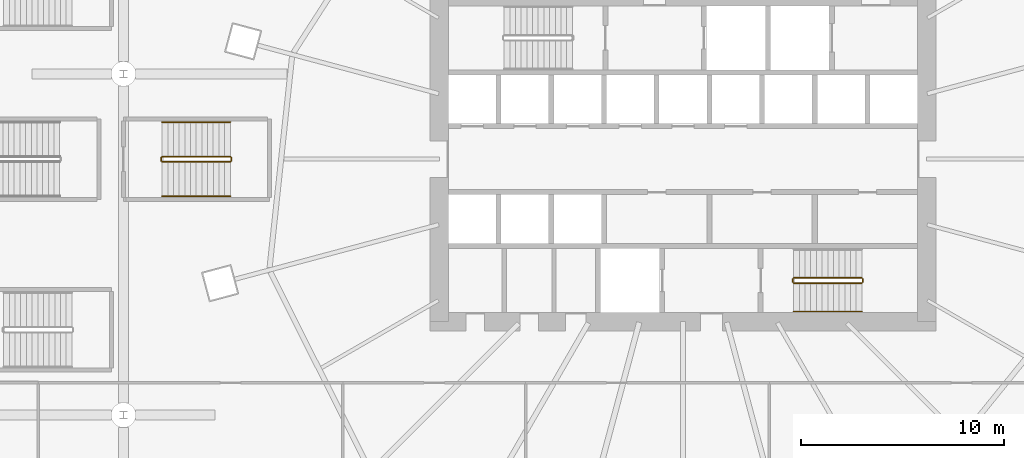
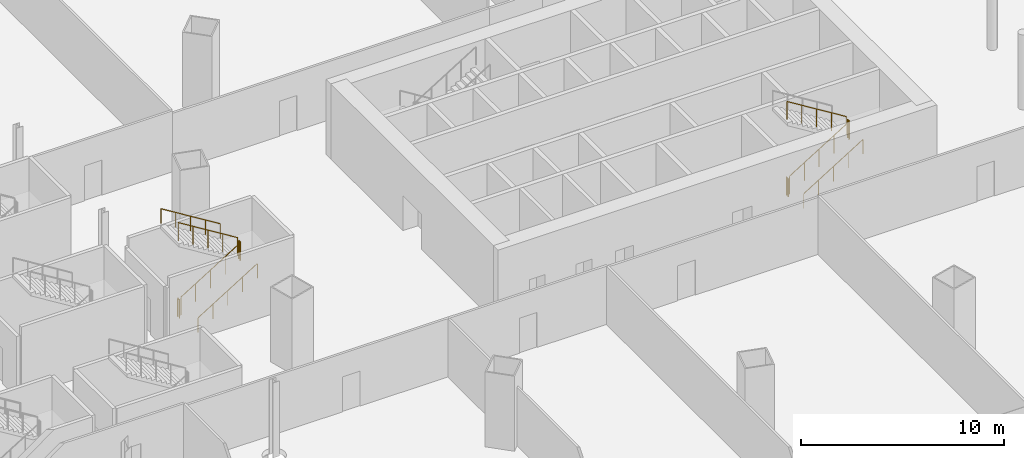
# One storey, part 53 of 56: 11 railings.
"""IFC4 building model written with IfcOpenShell, lengths in metres."""

from ifc_helpers import new_model, si_unit, direction, frame, origin, origin_2d, place, context, subcontext, project, spatial, circle, extrude, material, type_object, element, save


model = new_model("IFC4")

# Units and contexts
model_context = context("Model", 3, precision=1e-05, world=origin(), true_north=direction((0.0, 1.0)))
body_context = subcontext(model_context, "Body", "Model", "MODEL_VIEW")
ifc_project = project(units=[si_unit("LENGTHUNIT", "METRE"), si_unit("AREAUNIT", "SQUARE_METRE"), si_unit("VOLUMEUNIT", "CUBIC_METRE"), si_unit("PLANEANGLEUNIT", "RADIAN"), si_unit("MASSUNIT", "GRAM", prefix="KILO")], contexts=[model_context])

# Site, building, storey
site_placement = place(None, origin())
site = spatial("IfcSite", under=ifc_project, at=site_placement, CompositionType="ELEMENT")
building_placement = place(site_placement, origin())
building = spatial("IfcBuilding", under=site, at=building_placement, Name="Rimbun Link Towers", CompositionType="ELEMENT")
storey_placement = place(building_placement, frame((0.0, 0.0, 16.5)))
storey = spatial("IfcBuildingStorey", under=building, at=storey_placement, Name="L03", CompositionType="ELEMENT", Elevation=16.5)

# Railings
ifc_material_1 = material(Name="Stainless steel grade 316", Category="steel")
railing_type_1 = type_object("IfcRailingType", Name="Stair guard", PredefinedType="GUARDRAIL", material=ifc_material_1)
railing_1_placement = place(storey_placement, frame((37.199951171875, -6.10009765625, 0.173095703125)))
element("IfcRailing", 1, at=railing_1_placement, inside=storey, type_object=railing_type_1, Name="L03 ST4 stair guard 1", PredefinedType="GUARDRAIL", context=body_context, shape_type="SweptSolid", body=[
    extrude(circle(Radius=0.02392578125, at=origin_2d()), frame((0.0, 0.0, 1.076171875), z_axis=(0.850623216509, 0.0, 0.525775754039), x_axis=(0.0, 1.0, 0.0)), (0.0, 0.0, 1.0), 3.9501953125),
    extrude(circle(Radius=0.02099609375, at=origin_2d()), origin(), (0.0, 0.0, 1.0), 1.052001953125),
    extrude(circle(Radius=0.02099609375, at=origin_2d()), frame((0.840087890625, 0.0, 0.519287109375)), (0.0, 0.0, 1.0), 1.052001953125),
    extrude(circle(Radius=0.02099609375, at=origin_2d()), frame((1.68017578125, 0.0, 1.03857421875)), (0.0, 0.0, 1.0), 1.052001953125),
    extrude(circle(Radius=0.02099609375, at=origin_2d()), frame((2.52001953125, 0.0, 1.5576171875)), (0.0, 0.0, 1.0), 1.052001953125),
    extrude(circle(Radius=0.02099609375, at=origin_2d()), frame((3.360107421875, 0.0, 2.076904296875)), (0.0, 0.0, 1.0), 1.052001953125),
])
railing_2_placement = place(storey_placement, frame((40.610107421875, -6.050048828125, 2.25)))
element("IfcRailing", 2, at=railing_2_placement, inside=storey, type_object=railing_type_1, Name="L03 ST4 stair guard 2", PredefinedType="GUARDRAIL", context=body_context, shape_type="SweptSolid", body=[
    extrude(circle(Radius=0.02392578125, at=origin_2d()), frame((0.0, 0.0, 1.076171875), z_axis=(0.0, 1.0, 0.0), x_axis=(-1.0, 0.0, 0.0)), (0.0, 0.0, 1.0), 0.150146484375),
    extrude(circle(Radius=0.02099609375, at=origin_2d()), origin(), (0.0, 0.0, 1.0), 1.052001953125),
    extrude(circle(Radius=0.02099609375, at=origin_2d()), frame((0.0, 0.150146484375, 0.0)), (0.0, 0.0, 1.0), 1.052001953125),
])
railing_3_placement = place(storey_placement, frame((40.56005859375, -5.85009765625, 2.423095703125)))
element("IfcRailing", 3, at=railing_3_placement, inside=storey, type_object=railing_type_1, Name="L03 ST4 stair guard 3", PredefinedType="GUARDRAIL", context=body_context, shape_type="SweptSolid", body=[
    extrude(circle(Radius=0.02392578125, at=origin_2d()), frame((0.0, 0.0, 1.076171875), z_axis=(-0.850623216509, 0.0, 0.525775754039), x_axis=(0.0, -1.0, 0.0)), (0.0, 0.0, 1.0), 3.9501953125),
    extrude(circle(Radius=0.02099609375, at=origin_2d()), origin(), (0.0, 0.0, 1.0), 1.052001953125),
    extrude(circle(Radius=0.02099609375, at=origin_2d()), frame((-0.840087890625, 0.0, 0.519287109375)), (0.0, 0.0, 1.0), 1.052001953125),
    extrude(circle(Radius=0.02099609375, at=origin_2d()), frame((-1.68017578125, 0.0, 1.03857421875)), (0.0, 0.0, 1.0), 1.052001953125),
    extrude(circle(Radius=0.02099609375, at=origin_2d()), frame((-2.52001953125, 0.0, 1.5576171875)), (0.0, 0.0, 1.0), 1.052001953125),
    extrude(circle(Radius=0.02099609375, at=origin_2d()), frame((-3.360107421875, 0.0, 2.076904296875)), (0.0, 0.0, 1.0), 1.052001953125),
])
railing_4_placement = place(storey_placement, frame((37.14990234375, -6.050048828125, 0.0)))
element("IfcRailing", 4, at=railing_4_placement, inside=storey, type_object=railing_type_1, Name="L03 ST4 stair guard 4", PredefinedType="GUARDRAIL", context=body_context, shape_type="SweptSolid", body=[
    extrude(circle(Radius=0.02392578125, at=origin_2d()), frame((0.0, 0.0, 1.076171875), z_axis=(0.0, 1.0, 0.0), x_axis=(-1.0, 0.0, 0.0)), (0.0, 0.0, 1.0), 0.150146484375),
    extrude(circle(Radius=0.02099609375, at=origin_2d()), origin(), (0.0, 0.0, 1.0), 1.052001953125),
    extrude(circle(Radius=0.02099609375, at=origin_2d()), frame((0.0, 0.150146484375, 0.0)), (0.0, 0.0, 1.0), 1.052001953125),
])
railing_5_placement = place(storey_placement, frame((6.10009765625, -0.125, 0.173095703125)))
element("IfcRailing", 5, at=railing_5_placement, inside=storey, type_object=railing_type_1, Name="L03 PS5 stair guard 1", PredefinedType="GUARDRAIL", context=body_context, shape_type="SweptSolid", body=[
    extrude(circle(Radius=0.02392578125, at=origin_2d()), frame((0.0, 0.0, 1.076171875), z_axis=(0.850606129759, 0.0, 0.525803396734), x_axis=(0.0, 1.0, 0.0)), (0.0, 0.0, 1.0), 3.949951171875),
    extrude(circle(Radius=0.02099609375, at=origin_2d()), origin(), (0.0, 0.0, 1.0), 1.052001953125),
    extrude(circle(Radius=0.02099609375, at=origin_2d()), frame((0.83984375, 0.0, 0.519287109375)), (0.0, 0.0, 1.0), 1.052001953125),
    extrude(circle(Radius=0.02099609375, at=origin_2d()), frame((1.679931640625, 0.0, 1.03857421875)), (0.0, 0.0, 1.0), 1.052001953125),
    extrude(circle(Radius=0.02099609375, at=origin_2d()), frame((2.52001953125, 0.0, 1.5576171875)), (0.0, 0.0, 1.0), 1.052001953125),
    extrude(circle(Radius=0.02099609375, at=origin_2d()), frame((3.35986328125, 0.0, 2.076904296875)), (0.0, 0.0, 1.0), 1.052001953125),
])
railing_6_placement = place(storey_placement, frame((9.510009765625, -0.074951171875, 2.25)))
element("IfcRailing", 6, at=railing_6_placement, inside=storey, type_object=railing_type_1, Name="L03 PS5 stair guard 2", PredefinedType="GUARDRAIL", context=body_context, shape_type="SweptSolid", body=[
    extrude(circle(Radius=0.02392578125, at=origin_2d()), frame((0.0, 0.0, 1.076171875), z_axis=(0.0, 1.0, 0.0), x_axis=(-1.0, 0.0, 0.0)), (0.0, 0.0, 1.0), 0.14990234375),
    extrude(circle(Radius=0.02099609375, at=origin_2d()), origin(), (0.0, 0.0, 1.0), 1.052001953125),
    extrude(circle(Radius=0.02099609375, at=origin_2d()), frame((0.0, 0.14990234375, 0.0)), (0.0, 0.0, 1.0), 1.052001953125),
])
railing_7_placement = place(storey_placement, frame((9.4599609375, 0.125, 2.423095703125)))
element("IfcRailing", 7, at=railing_7_placement, inside=storey, type_object=railing_type_1, Name="L03 PS5 stair guard 3", PredefinedType="GUARDRAIL", context=body_context, shape_type="SweptSolid", body=[
    extrude(circle(Radius=0.02392578125, at=origin_2d()), frame((0.0, 0.0, 1.076171875), z_axis=(-0.850606129759, 0.0, 0.525803396734), x_axis=(0.0, -1.0, 0.0)), (0.0, 0.0, 1.0), 3.949951171875),
    extrude(circle(Radius=0.02099609375, at=origin_2d()), origin(), (0.0, 0.0, 1.0), 1.052001953125),
    extrude(circle(Radius=0.02099609375, at=origin_2d()), frame((-0.83984375, 0.0, 0.519287109375)), (0.0, 0.0, 1.0), 1.052001953125),
    extrude(circle(Radius=0.02099609375, at=origin_2d()), frame((-1.679931640625, 0.0, 1.03857421875)), (0.0, 0.0, 1.0), 1.052001953125),
    extrude(circle(Radius=0.02099609375, at=origin_2d()), frame((-2.52001953125, 0.0, 1.5576171875)), (0.0, 0.0, 1.0), 1.052001953125),
    extrude(circle(Radius=0.02099609375, at=origin_2d()), frame((-3.35986328125, 0.0, 2.076904296875)), (0.0, 0.0, 1.0), 1.052001953125),
])
railing_8_placement = place(storey_placement, frame((6.050048828125, -0.074951171875, 0.0)))
element("IfcRailing", 8, at=railing_8_placement, inside=storey, type_object=railing_type_1, Name="L03 PS5 stair guard 4", PredefinedType="GUARDRAIL", context=body_context, shape_type="SweptSolid", body=[
    extrude(circle(Radius=0.02392578125, at=origin_2d()), frame((0.0, 0.0, 1.076171875), z_axis=(0.0, 1.0, 0.0), x_axis=(-1.0, 0.0, 0.0)), (0.0, 0.0, 1.0), 0.14990234375),
    extrude(circle(Radius=0.02099609375, at=origin_2d()), origin(), (0.0, 0.0, 1.0), 1.052001953125),
    extrude(circle(Radius=0.02099609375, at=origin_2d()), frame((0.0, 0.14990234375, 0.0)), (0.0, 0.0, 1.0), 1.052001953125),
])
ifc_material_2 = material(Name="Stainless steel grade 316", Category="steel")
railing_type_2 = type_object("IfcRailingType", Name="Stair handrail", PredefinedType="HANDRAIL", material=ifc_material_2)
railing_9_placement = place(storey_placement, frame((37.199951171875, -7.5, 0.173095703125)))
element("IfcRailing", 9, at=railing_9_placement, inside=storey, type_object=railing_type_2, Name="L03 ST4 stair handrail 1", PredefinedType="HANDRAIL", context=body_context, shape_type="SweptSolid", body=[
    extrude(circle(Radius=0.02392578125, at=origin_2d()), frame((0.0, 0.0, 0.8759765625), z_axis=(0.850623216509, 0.0, 0.525775754039), x_axis=(0.0, 1.0, 0.0)), (0.0, 0.0, 1.0), 3.9501953125),
    extrude(circle(Radius=0.02099609375, at=origin_2d()), origin(), (0.0, 0.0, 1.0), 0.851806640625),
    extrude(circle(Radius=0.02099609375, at=origin_2d()), frame((0.840087890625, 0.0, 0.519287109375)), (0.0, 0.0, 1.0), 0.851806640625),
    extrude(circle(Radius=0.02099609375, at=origin_2d()), frame((1.68017578125, 0.0, 1.03857421875)), (0.0, 0.0, 1.0), 0.851806640625),
    extrude(circle(Radius=0.02099609375, at=origin_2d()), frame((2.52001953125, 0.0, 1.5576171875)), (0.0, 0.0, 1.0), 0.851806640625),
    extrude(circle(Radius=0.02099609375, at=origin_2d()), frame((3.360107421875, 0.0, 2.076904296875)), (0.0, 0.0, 1.0), 0.851806640625),
])
railing_10_placement = place(storey_placement, frame((6.10009765625, -1.824951171875, 0.173095703125)))
element("IfcRailing", 10, at=railing_10_placement, inside=storey, type_object=railing_type_2, Name="L03 PS5 stair handrail 1", PredefinedType="HANDRAIL", context=body_context, shape_type="SweptSolid", body=[
    extrude(circle(Radius=0.02392578125, at=origin_2d()), frame((0.0, 0.0, 0.8759765625), z_axis=(0.850606129759, 0.0, 0.525803396734), x_axis=(0.0, 1.0, 0.0)), (0.0, 0.0, 1.0), 3.949951171875),
    extrude(circle(Radius=0.02099609375, at=origin_2d()), origin(), (0.0, 0.0, 1.0), 0.851806640625),
    extrude(circle(Radius=0.02099609375, at=origin_2d()), frame((0.83984375, 0.0, 0.519287109375)), (0.0, 0.0, 1.0), 0.851806640625),
    extrude(circle(Radius=0.02099609375, at=origin_2d()), frame((1.679931640625, 0.0, 1.03857421875)), (0.0, 0.0, 1.0), 0.851806640625),
    extrude(circle(Radius=0.02099609375, at=origin_2d()), frame((2.52001953125, 0.0, 1.5576171875)), (0.0, 0.0, 1.0), 0.851806640625),
    extrude(circle(Radius=0.02099609375, at=origin_2d()), frame((3.35986328125, 0.0, 2.076904296875)), (0.0, 0.0, 1.0), 0.851806640625),
])
railing_11_placement = place(storey_placement, frame((9.4599609375, 1.824951171875, 2.423095703125)))
element("IfcRailing", 11, at=railing_11_placement, inside=storey, type_object=railing_type_2, Name="L03 PS5 stair handrail 2", PredefinedType="HANDRAIL", context=body_context, shape_type="SweptSolid", body=[
    extrude(circle(Radius=0.02392578125, at=origin_2d()), frame((0.0, 0.0, 0.8759765625), z_axis=(-0.850606129759, 0.0, 0.525803396734), x_axis=(0.0, -1.0, 0.0)), (0.0, 0.0, 1.0), 3.949951171875),
    extrude(circle(Radius=0.02099609375, at=origin_2d()), origin(), (0.0, 0.0, 1.0), 0.851806640625),
    extrude(circle(Radius=0.02099609375, at=origin_2d()), frame((-0.83984375, 0.0, 0.519287109375)), (0.0, 0.0, 1.0), 0.851806640625),
    extrude(circle(Radius=0.02099609375, at=origin_2d()), frame((-1.679931640625, 0.0, 1.03857421875)), (0.0, 0.0, 1.0), 0.851806640625),
    extrude(circle(Radius=0.02099609375, at=origin_2d()), frame((-2.52001953125, 0.0, 1.5576171875)), (0.0, 0.0, 1.0), 0.851806640625),
    extrude(circle(Radius=0.02099609375, at=origin_2d()), frame((-3.35986328125, 0.0, 2.076904296875)), (0.0, 0.0, 1.0), 0.851806640625),
])

save(model, "model.ifc")
